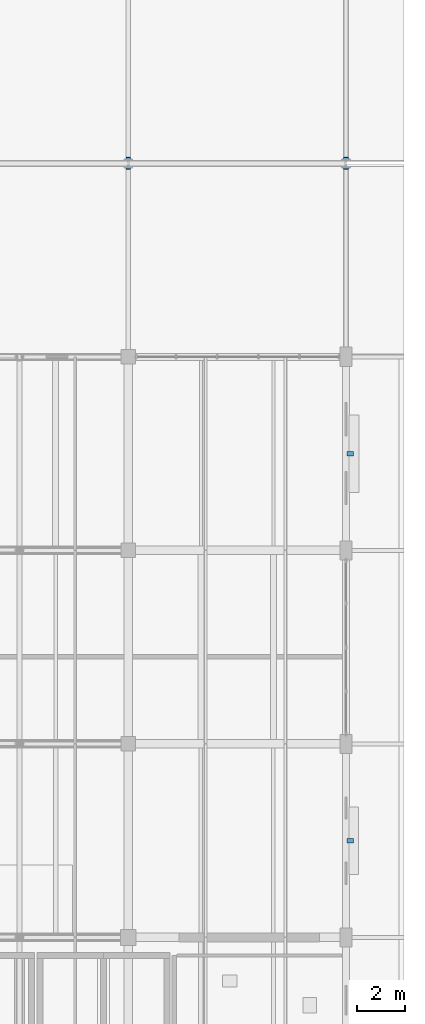
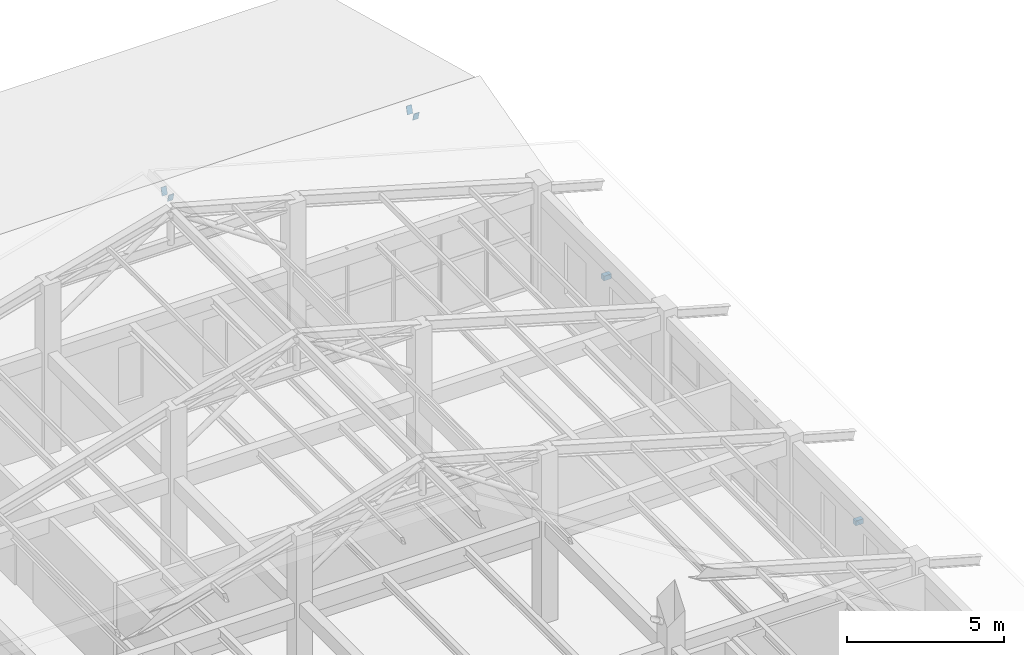
# One storey, part 53 of 58: 6 discrete accessories.
"""IFC4 building model written with IfcOpenShell, lengths in metres."""

from ifc_helpers import new_model, si_unit, derived_unit, direction, frame, origin, origin_2d, place, context, subcontext, project, spatial, rectangle, extrude, material, type_object, element, save


model = new_model("IFC4")

# Units and contexts
model_context = context("Model", 3, precision=1e-05, world=origin(), true_north=direction((0.0, 1.0)))
body_context = subcontext(model_context, "Body", "Model", "MODEL_VIEW")
ifc_project = project(units=[si_unit("LENGTHUNIT", "METRE"), si_unit("AREAUNIT", "SQUARE_METRE"), si_unit("VOLUMEUNIT", "CUBIC_METRE"), si_unit("PLANEANGLEUNIT", "RADIAN"), si_unit("MASSUNIT", "GRAM", prefix="KILO"), derived_unit("THERMALTRANSMITTANCEUNIT", [(si_unit("MASSUNIT", "GRAM", prefix="KILO"), 1), (si_unit("TIMEUNIT", "SECOND"), -3), (si_unit("THERMODYNAMICTEMPERATUREUNIT", "KELVIN"), -1)])], contexts=[model_context])

# Site, building, storey
site_placement = place(None, origin())
site = spatial("IfcSite", under=ifc_project, at=site_placement, CompositionType="ELEMENT")
building_placement = place(site_placement, origin())
building = spatial("IfcBuilding", under=site, at=building_placement, Name="Zhenchuan Archway Interchange", CompositionType="ELEMENT")
storey_placement = place(building_placement, frame((0.0, 0.0, 22.800048828125)))
storey = spatial("IfcBuildingStorey", under=building, at=storey_placement, Name="L05", CompositionType="ELEMENT", Elevation=22.800048828125)

# Discrete accessories
ifc_material_1 = material(Name="Stainless Steel 316", Category="steel")
discrete_accessory_type_1 = type_object("IfcDiscreteAccessoryType", Name="BRK_SHD_2", PredefinedType="BRACKET", material=ifc_material_1)
for number, where, z_axis, x_axis, name in (
    (1, (171.179931640625, 84.0, 2.66015625), (0.0, 0.0, 1.0), (0.0, -1.0, 0.0), "Storm-louvre stainless fixing bracket L05-146"),
    (2, (171.179931640625, 68.0, 2.85986328125), (0.0, 0.0, 1.0), (0.0, -1.0, 0.0), "Storm-louvre stainless fixing bracket L05-147"),
):
    element("IfcDiscreteAccessory", number, at=place(storey_placement, frame(where, z_axis=z_axis, x_axis=x_axis)), inside=storey, type_object=discrete_accessory_type_1, Name=name, PredefinedType="BRACKET", context=body_context, shape_type="SweptSolid", body=[
        extrude(rectangle(XDim=0.179931640625, YDim=0.280029296875, at=origin_2d()), origin(), (0.0, 0.0, 1.0), 0.179931640625),
    ])
ifc_material_2 = material(Name="Steel Q355", Category="steel")
discrete_accessory_type_2 = type_object("IfcDiscreteAccessoryType", Name="CAP_MB_RHS300", PredefinedType="USERDEFINED", material=ifc_material_2)
for number, where, z_axis, x_axis, name in (
    (3, (162.0, 95.780029296875, 1.85986328125), (0.0, 0.964763821238, 0.263117405792), (-1.0, 0.0, 0.0), "End plate at the end of East bar N rafter X162-1"),
    (4, (162.0, 96.19580078125, 1.866455078125), (0.0, 0.964763821238, -0.263117405792), (-1.0, 0.0, 0.0), "End plate at the start of East bar N rafter X162-2"),
    (5, (171.0, 95.780029296875, 1.85986328125), (0.0, 0.964763821238, 0.263117405792), (-1.0, 0.0, 0.0), "End plate at the end of East bar N rafter X171-1"),
    (6, (171.0, 96.19580078125, 1.866455078125), (0.0, 0.964763821238, -0.263117405792), (-1.0, 0.0, 0.0), "End plate at the start of East bar N rafter X171-2"),
):
    element("IfcDiscreteAccessory", number, at=place(storey_placement, frame(where, z_axis=z_axis, x_axis=x_axis)), inside=storey, type_object=discrete_accessory_type_2, Name=name, ObjectType="END PLATE", PredefinedType="USERDEFINED", context=body_context, shape_type="SweptSolid", body=[
        extrude(rectangle(XDim=0.199951171875, YDim=0.300048828125, at=origin_2d()), origin(), (0.0, 0.0, 1.0), 0.025146484375),
    ])

save(model, "model.ifc")
